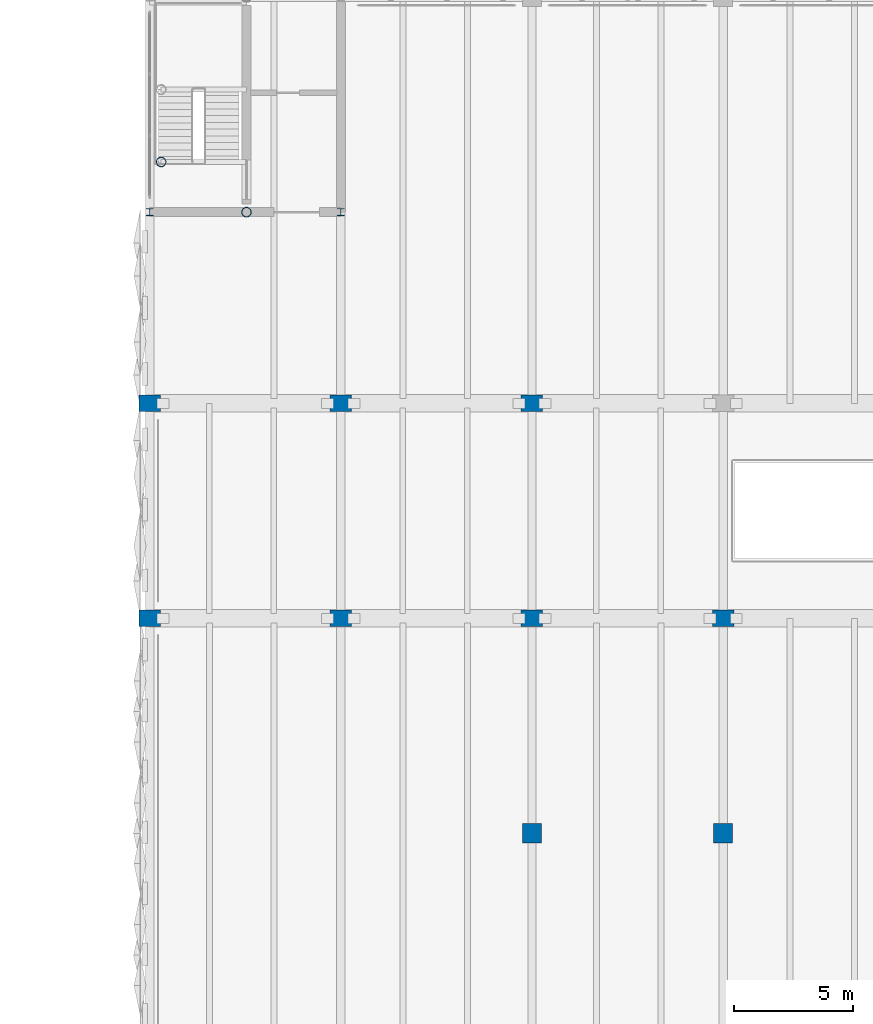
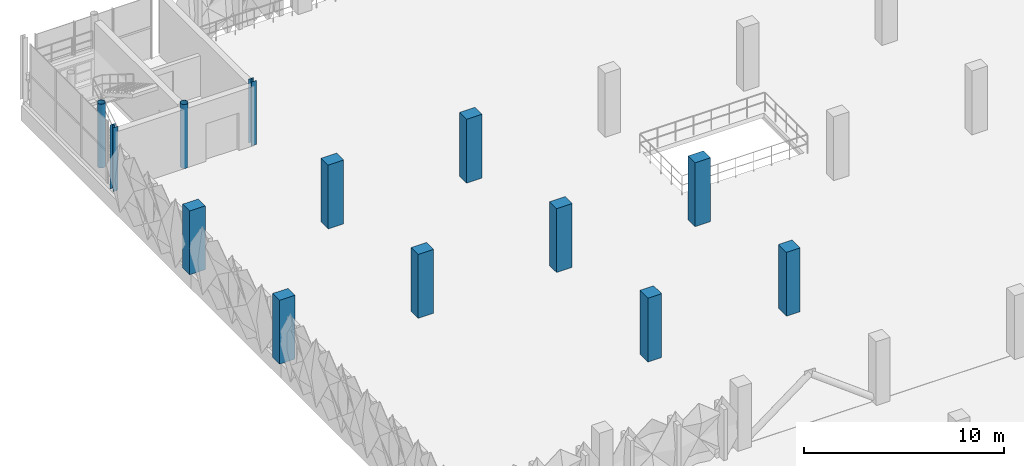
# One storey, part 8 of 123: 13 columns.
"""IFC4 building model written with IfcOpenShell, lengths in metres."""

from ifc_helpers import new_model, si_unit, derived_unit, direction, frame, origin, origin_2d, place, context, subcontext, project, spatial, rectangle, hollow_circle, i_section, extrude, material, material_profile, profile_set, type_object, element, save


model = new_model("IFC4")

# Units and contexts
model_context = context("Model", 3, precision=1e-05, world=origin(), true_north=direction((0.0, 1.0)))
body_context = subcontext(model_context, "Body", "Model", "MODEL_VIEW")
ifc_project = project(units=[si_unit("LENGTHUNIT", "METRE"), si_unit("AREAUNIT", "SQUARE_METRE"), si_unit("VOLUMEUNIT", "CUBIC_METRE"), si_unit("PLANEANGLEUNIT", "RADIAN"), si_unit("MASSUNIT", "GRAM", prefix="KILO"), si_unit("THERMODYNAMICTEMPERATUREUNIT", "KELVIN"), derived_unit("THERMALTRANSMITTANCEUNIT", [(si_unit("POWERUNIT", "WATT"), 1), (si_unit("AREAUNIT", "SQUARE_METRE"), -1), (si_unit("THERMODYNAMICTEMPERATUREUNIT", "KELVIN"), -1)])], contexts=[model_context])

# Site, building, storey
site_placement = place(None, origin())
site = spatial("IfcSite", under=ifc_project, at=site_placement, CompositionType="ELEMENT")
building_placement = place(site_placement, origin())
building = spatial("IfcBuilding", under=site, at=building_placement, Name="Haiyu Intermodal Mobility Hub", CompositionType="ELEMENT")
storey_placement = place(building_placement, frame((0.0, 0.0, 5.60009765625)))
storey = spatial("IfcBuildingStorey", under=building, at=storey_placement, Name="L01", CompositionType="ELEMENT", Elevation=5.60009765625)

# Columns
ifc_material_1 = material(Name="Precast concrete C40", Category="concrete")
ifc_material_profile_1 = material_profile(ifc_material_1, rectangle(XDim=0.800048828125, YDim=0.800048828125, at=origin_2d()), Name="RC800x800")
ifc_profile_set_1 = profile_set([ifc_material_profile_1], Name="Precast concrete C40")
column_type_1 = type_object("IfcColumnType", Name="COL-CC02", PredefinedType="COLUMN", material=ifc_profile_set_1)
for number, where, z_axis, x_axis, name in (
    (1, (38.0, 113.0, 0.0), (0.0, 0.0, 1.0), (1.0, 0.0, 0.0), "Column V3S-4N L01"),
    (2, (46.0, 113.0, 0.0), (0.0, 0.0, 1.0), (1.0, 0.0, 0.0), "Column V3S-5N L01"),
):
    element("IfcColumn", number, at=place(storey_placement, frame(where, z_axis=z_axis, x_axis=x_axis)), inside=storey, type_object=column_type_1, Name=name, PredefinedType="COLUMN", context=body_context, shape_type="SweptSolid", body=[
        extrude(rectangle(XDim=0.800048828125, YDim=0.800048828125, at=origin_2d()), origin(), (0.0, 0.0, 1.0), 3.89990234375),
    ])
ifc_material_profile_2 = material_profile(ifc_material_1, rectangle(XDim=0.89990234375, YDim=0.699951171875, at=origin_2d()), Name="RC900x700")
ifc_profile_set_2 = profile_set([ifc_material_profile_2], Name="Precast concrete C40")
column_type_2 = type_object("IfcColumnType", Name="COL-CC04", PredefinedType="COLUMN", material=ifc_profile_set_2)
for number, where, z_axis, x_axis, name in (
    (3, (30.0, 122.0, 0.0), (0.0, 0.0, 1.0), (1.0, 0.0, 0.0), "Column V4-3P L01"),
    (4, (30.0, 131.0, 0.0), (0.0, 0.0, 1.0), (1.0, 0.0, 0.0), "Column V4-3Q L01"),
    (5, (38.0, 122.0, 0.0), (0.0, 0.0, 1.0), (1.0, 0.0, 0.0), "Column V4-4P L01"),
    (6, (38.0, 131.0, 0.0), (0.0, 0.0, 1.0), (1.0, 0.0, 0.0), "Column V4-4Q L01"),
    (7, (46.0, 122.0, 0.0), (0.0, 0.0, 1.0), (1.0, 0.0, 0.0), "Column V4-5P L01"),
):
    element("IfcColumn", number, at=place(storey_placement, frame(where, z_axis=z_axis, x_axis=x_axis)), inside=storey, type_object=column_type_2, Name=name, PredefinedType="COLUMN", context=body_context, shape_type="SweptSolid", body=[
        extrude(rectangle(XDim=0.89990234375, YDim=0.699951171875, at=origin_2d()), origin(), (0.0, 0.0, 1.0), 3.89990234375),
    ])
ifc_material_profile_3 = material_profile(ifc_material_1, rectangle(XDim=0.89990234375, YDim=0.699951171875, at=origin_2d()), Name="RC900x700")
ifc_profile_set_3 = profile_set([ifc_material_profile_3], Name="Precast concrete C40")
column_type_3 = type_object("IfcColumnType", Name="COL-CC04-EXT", PredefinedType="COLUMN", material=ifc_profile_set_3)
for number, where, z_axis, x_axis, name in (
    (8, (22.0, 122.0, 0.0), (0.0, 0.0, 1.0), (1.0, 0.0, 0.0), "Column V4-2P L01"),
    (9, (22.0, 131.0, 0.0), (0.0, 0.0, 1.0), (1.0, 0.0, 0.0), "Column V4-2Q L01"),
):
    element("IfcColumn", number, at=place(storey_placement, frame(where, z_axis=z_axis, x_axis=x_axis)), inside=storey, type_object=column_type_3, Name=name, PredefinedType="COLUMN", context=body_context, shape_type="SweptSolid", body=[
        extrude(rectangle(XDim=0.89990234375, YDim=0.699951171875, at=origin_2d()), origin(), (0.0, 0.0, 1.0), 3.89990234375),
    ])
ifc_material_2 = material(Name="Steel Q355C", Category="steel")
ifc_material_profile_4 = material_profile(ifc_material_2, hollow_circle(Radius=0.202880859375, WallThickness=0.013916015625, at=origin_2d()), Name="CHS406x14")
ifc_profile_set_4 = profile_set([ifc_material_profile_4], Name="Steel Q355C")
column_type_4 = type_object("IfcColumnType", Name="COL-SC03", PredefinedType="COLUMN", material=ifc_profile_set_4)
for number, where, z_axis, x_axis, name in (
    (10, (26.050048828125, 139.0, 0.0), (0.0, 0.0, 1.0), (1.0, 0.0, 0.0), "Column C3-MS L01"),
    (11, (22.47998046875, 141.10009765625, 0.0), (0.0, 0.0, 1.0), (1.0, 0.0, 0.0), "Column C3-WTP L01"),
):
    element("IfcColumn", number, at=place(storey_placement, frame(where, z_axis=z_axis, x_axis=x_axis)), inside=storey, type_object=column_type_4, Name=name, PredefinedType="COLUMN", context=body_context, shape_type="SweptSolid", body=[
        extrude(hollow_circle(Radius=0.202880859375, WallThickness=0.013916015625, at=origin_2d()), origin(), (0.0, 0.0, 1.0), 3.89990234375),
    ])
ifc_material_profile_5 = material_profile(ifc_material_2, i_section(OverallWidth=0.300048828125, OverallDepth=0.300048828125, WebThickness=0.010009765625, FlangeThickness=0.014892578125, FilletRadius=0.01806640625, at=origin_2d()), Name="HW300x300x10x15")
ifc_profile_set_5 = profile_set([ifc_material_profile_5], Name="Steel Q355C")
column_type_5 = type_object("IfcColumnType", Name="COL-SC07", PredefinedType="COLUMN", material=ifc_profile_set_5)
column_1_placement = place(storey_placement, frame((30.0, 139.0, 0.0), z_axis=(0.0, 0.0, 1.0), x_axis=(1.0, 0.0, 0.0)))
element("IfcColumn", 12, at=column_1_placement, inside=storey, type_object=column_type_5, Name="Column C3-SE L01", PredefinedType="COLUMN", context=body_context, shape_type="SweptSolid", body=[
    extrude(i_section(OverallWidth=0.300048828125, OverallDepth=0.300048828125, WebThickness=0.010009765625, FlangeThickness=0.014892578125, FilletRadius=0.01806640625, at=origin_2d()), origin(), (0.0, 0.0, 1.0), 3.89990234375),
])
ifc_material_profile_6 = material_profile(ifc_material_2, i_section(OverallWidth=0.300048828125, OverallDepth=0.300048828125, WebThickness=0.010009765625, FlangeThickness=0.014892578125, FilletRadius=0.01806640625, at=origin_2d()), Name="HW300x300x10x15")
ifc_profile_set_6 = profile_set([ifc_material_profile_6], Name="Steel Q355C")
column_type_6 = type_object("IfcColumnType", Name="COL-SC07-EXT", PredefinedType="COLUMN", material=ifc_profile_set_6)
column_2_placement = place(storey_placement, frame((22.0, 139.0, 0.0), z_axis=(0.0, 0.0, 1.0), x_axis=(1.0, 0.0, 0.0)))
element("IfcColumn", 13, at=column_2_placement, inside=storey, type_object=column_type_6, Name="Column C3-SW L01", PredefinedType="COLUMN", context=body_context, shape_type="SweptSolid", body=[
    extrude(i_section(OverallWidth=0.300048828125, OverallDepth=0.300048828125, WebThickness=0.010009765625, FlangeThickness=0.014892578125, FilletRadius=0.01806640625, at=origin_2d()), origin(), (0.0, 0.0, 1.0), 3.89990234375),
])

save(model, "model.ifc")
